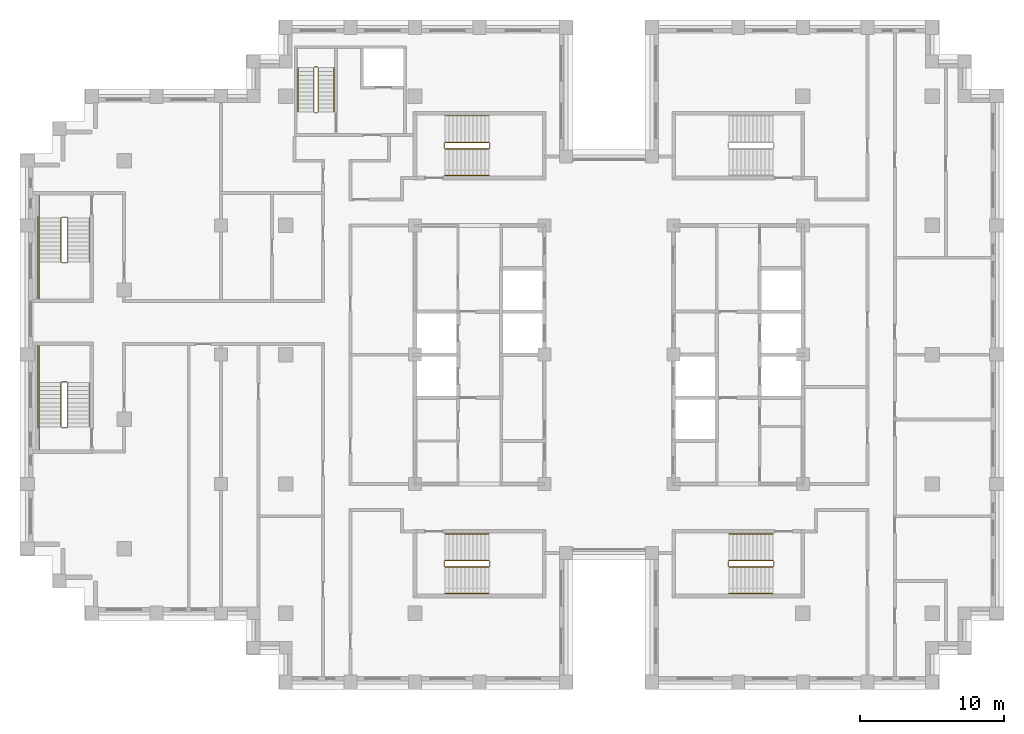
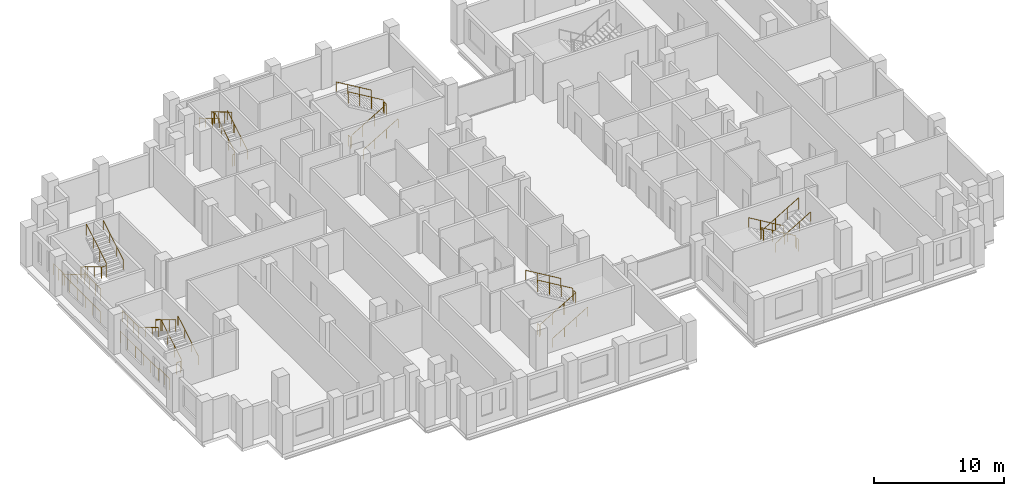
# One storey, part 14 of 15: 6 railings.
"""IFC4 building model written with IfcOpenShell, lengths in metres."""

from ifc_helpers import new_model, si_unit, direction, frame, origin, origin_2d, place, context, subcontext, project, spatial, circle, extrude, material, type_object, element, save


model = new_model("IFC4")

# Units and contexts
model_context = context("Model", 3, precision=1e-05, world=origin(), true_north=direction((0.0, 1.0)))
body_context = subcontext(model_context, "Body", "Model", "MODEL_VIEW")
ifc_project = project(units=[si_unit("LENGTHUNIT", "METRE"), si_unit("AREAUNIT", "SQUARE_METRE"), si_unit("VOLUMEUNIT", "CUBIC_METRE"), si_unit("PLANEANGLEUNIT", "RADIAN"), si_unit("MASSUNIT", "GRAM", prefix="KILO")], contexts=[model_context])

# Site, building, storey
site_placement = place(None, origin())
site = spatial("IfcSite", under=ifc_project, at=site_placement, CompositionType="ELEMENT")
building_placement = place(site_placement, origin())
building = spatial("IfcBuilding", under=site, at=building_placement, Name="Corbelhall Arena Tower", CompositionType="ELEMENT")
storey_placement = place(building_placement, frame((0.0, 0.0, 196.0)))
storey = spatial("IfcBuildingStorey", under=building, at=storey_placement, Name="L40", CompositionType="ELEMENT", Elevation=196.0)

# Railings
ifc_material = material(Name="Steel ASTM A500 Gr C", Category="steel")
railing_type = type_object("IfcRailingType", Name="IN-GD-1100", PredefinedType="GUARDRAIL", material=ifc_material)
railing_1_placement = place(storey_placement, frame((-11.425048828125, 14.324951171875, 0.166748046875)))
element("IfcRailing", 1, at=railing_1_placement, inside=storey, type_object=railing_type, Name="L40 ST1 stair guards and handrails", PredefinedType="GUARDRAIL", context=body_context, shape_type="SweptSolid", body=[
    extrude(circle(Radius=0.02392578125, at=origin_2d()), frame((0.0, 0.0, 1.076171875), z_axis=(0.859308565015, 0.0, 0.511457515432), x_axis=(0.0, 1.0, 0.0)), (0.0, 0.0, 1.0), 3.58447265625),
    extrude(circle(Radius=0.02392578125, at=origin_2d()), frame((3.130126953125, 0.050048828125, 2.9091796875), z_axis=(0.0, 1.0, 0.0), x_axis=(-1.0, 0.0, 0.0)), (0.0, 0.0, 1.0), 0.35009765625),
    extrude(circle(Radius=0.02392578125, at=origin_2d()), frame((3.080078125, 0.449951171875, 3.076171875), z_axis=(-0.859308565015, 0.0, 0.511457515432), x_axis=(0.0, -1.0, 0.0)), (0.0, 0.0, 1.0), 3.58447265625),
    extrude(circle(Radius=0.02392578125, at=origin_2d()), frame((-0.050048828125, 0.050048828125, 0.9091796875), z_axis=(0.0, 1.0, 0.0), x_axis=(-1.0, 0.0, 0.0)), (0.0, 0.0, 1.0), 0.35009765625),
    extrude(circle(Radius=0.02392578125, at=origin_2d()), frame((0.0, -1.849853515625, 0.8759765625), z_axis=(0.859308565015, 0.0, 0.511457515432), x_axis=(0.0, 1.0, 0.0)), (0.0, 0.0, 1.0), 3.58447265625),
    extrude(circle(Radius=0.02392578125, at=origin_2d()), frame((3.080078125, 2.300048828125, 2.8759765625), z_axis=(-0.859308565015, 0.0, 0.511457515432), x_axis=(0.0, -1.0, 0.0)), (0.0, 0.0, 1.0), 3.58447265625),
    extrude(circle(Radius=0.02099609375, at=origin_2d()), origin(), (0.0, 0.0, 1.0), 1.052001953125),
    extrude(circle(Radius=0.02099609375, at=origin_2d()), frame((1.026611328125, 0.0, 0.611083984375)), (0.0, 0.0, 1.0), 1.052001953125),
    extrude(circle(Radius=0.02099609375, at=origin_2d()), frame((2.053466796875, 0.0, 1.22216796875)), (0.0, 0.0, 1.0), 1.052001953125),
    extrude(circle(Radius=0.02099609375, at=origin_2d()), frame((3.080078125, 0.0, 1.833251953125)), (0.0, 0.0, 1.0), 1.052001953125),
    extrude(circle(Radius=0.02099609375, at=origin_2d()), frame((3.130126953125, 0.050048828125, 1.833251953125)), (0.0, 0.0, 1.0), 1.052001953125),
    extrude(circle(Radius=0.02099609375, at=origin_2d()), frame((3.130126953125, 0.400146484375, 1.833251953125)), (0.0, 0.0, 1.0), 1.052001953125),
    extrude(circle(Radius=0.02099609375, at=origin_2d()), frame((3.080078125, 0.449951171875, 2.0)), (0.0, 0.0, 1.0), 1.052001953125),
    extrude(circle(Radius=0.02099609375, at=origin_2d()), frame((2.053466796875, 0.449951171875, 2.611083984375)), (0.0, 0.0, 1.0), 1.052001953125),
    extrude(circle(Radius=0.02099609375, at=origin_2d()), frame((1.026611328125, 0.449951171875, 3.22216796875)), (0.0, 0.0, 1.0), 1.052001953125),
    extrude(circle(Radius=0.02099609375, at=origin_2d()), frame((0.0, 0.449951171875, 3.833251953125)), (0.0, 0.0, 1.0), 1.052001953125),
    extrude(circle(Radius=0.02099609375, at=origin_2d()), frame((-0.050048828125, 0.050048828125, -0.166748046875)), (0.0, 0.0, 1.0), 1.052001953125),
    extrude(circle(Radius=0.02099609375, at=origin_2d()), frame((-0.050048828125, 0.400146484375, -0.166748046875)), (0.0, 0.0, 1.0), 1.052001953125),
    extrude(circle(Radius=0.02099609375, at=origin_2d()), frame((0.0, -1.849853515625, 0.0)), (0.0, 0.0, 1.0), 0.851806640625),
    extrude(circle(Radius=0.02099609375, at=origin_2d()), frame((1.026611328125, -1.849853515625, 0.611083984375)), (0.0, 0.0, 1.0), 0.851806640625),
    extrude(circle(Radius=0.02099609375, at=origin_2d()), frame((2.053466796875, -1.849853515625, 1.22216796875)), (0.0, 0.0, 1.0), 0.851806640625),
    extrude(circle(Radius=0.02099609375, at=origin_2d()), frame((3.080078125, -1.849853515625, 1.833251953125)), (0.0, 0.0, 1.0), 0.851806640625),
    extrude(circle(Radius=0.02099609375, at=origin_2d()), frame((3.080078125, 2.300048828125, 2.0)), (0.0, 0.0, 1.0), 0.851806640625),
    extrude(circle(Radius=0.02099609375, at=origin_2d()), frame((2.053466796875, 2.300048828125, 2.611083984375)), (0.0, 0.0, 1.0), 0.851806640625),
    extrude(circle(Radius=0.02099609375, at=origin_2d()), frame((1.026611328125, 2.300048828125, 3.22216796875)), (0.0, 0.0, 1.0), 0.851806640625),
    extrude(circle(Radius=0.02099609375, at=origin_2d()), frame((0.0, 2.300048828125, 3.833251953125)), (0.0, 0.0, 1.0), 0.851806640625),
])
railing_2_placement = place(storey_placement, frame((-11.425048828125, -14.77490234375, 0.166748046875)))
element("IfcRailing", 2, at=railing_2_placement, inside=storey, type_object=railing_type, Name="L40 ST2 stair guards and handrails", PredefinedType="GUARDRAIL", context=body_context, shape_type="SweptSolid", body=[
    extrude(circle(Radius=0.02392578125, at=origin_2d()), frame((0.0, 0.0, 1.076171875), z_axis=(0.859308565015, 0.0, 0.511457515432), x_axis=(0.0, 1.0, 0.0)), (0.0, 0.0, 1.0), 3.58447265625),
    extrude(circle(Radius=0.02392578125, at=origin_2d()), frame((3.130126953125, 0.0498046875, 2.9091796875), z_axis=(0.0, 1.0, 0.0), x_axis=(-1.0, 0.0, 0.0)), (0.0, 0.0, 1.0), 0.35009765625),
    extrude(circle(Radius=0.02392578125, at=origin_2d()), frame((3.080078125, 0.449951171875, 3.076171875), z_axis=(-0.859308565015, 0.0, 0.511457515432), x_axis=(0.0, -1.0, 0.0)), (0.0, 0.0, 1.0), 3.58447265625),
    extrude(circle(Radius=0.02392578125, at=origin_2d()), frame((-0.050048828125, 0.0498046875, 0.9091796875), z_axis=(0.0, 1.0, 0.0), x_axis=(-1.0, 0.0, 0.0)), (0.0, 0.0, 1.0), 0.35009765625),
    extrude(circle(Radius=0.02392578125, at=origin_2d()), frame((0.0, -1.85009765625, 0.8759765625), z_axis=(0.859308565015, 0.0, 0.511457515432), x_axis=(0.0, 1.0, 0.0)), (0.0, 0.0, 1.0), 3.58447265625),
    extrude(circle(Radius=0.02392578125, at=origin_2d()), frame((3.080078125, 2.2998046875, 2.8759765625), z_axis=(-0.859308565015, 0.0, 0.511457515432), x_axis=(0.0, -1.0, 0.0)), (0.0, 0.0, 1.0), 3.58447265625),
    extrude(circle(Radius=0.02099609375, at=origin_2d()), origin(), (0.0, 0.0, 1.0), 1.052001953125),
    extrude(circle(Radius=0.02099609375, at=origin_2d()), frame((1.026611328125, 0.0, 0.611083984375)), (0.0, 0.0, 1.0), 1.052001953125),
    extrude(circle(Radius=0.02099609375, at=origin_2d()), frame((2.053466796875, 0.0, 1.22216796875)), (0.0, 0.0, 1.0), 1.052001953125),
    extrude(circle(Radius=0.02099609375, at=origin_2d()), frame((3.080078125, 0.0, 1.833251953125)), (0.0, 0.0, 1.0), 1.052001953125),
    extrude(circle(Radius=0.02099609375, at=origin_2d()), frame((3.130126953125, 0.0498046875, 1.833251953125)), (0.0, 0.0, 1.0), 1.052001953125),
    extrude(circle(Radius=0.02099609375, at=origin_2d()), frame((3.130126953125, 0.39990234375, 1.833251953125)), (0.0, 0.0, 1.0), 1.052001953125),
    extrude(circle(Radius=0.02099609375, at=origin_2d()), frame((3.080078125, 0.449951171875, 2.0)), (0.0, 0.0, 1.0), 1.052001953125),
    extrude(circle(Radius=0.02099609375, at=origin_2d()), frame((2.053466796875, 0.449951171875, 2.611083984375)), (0.0, 0.0, 1.0), 1.052001953125),
    extrude(circle(Radius=0.02099609375, at=origin_2d()), frame((1.026611328125, 0.449951171875, 3.22216796875)), (0.0, 0.0, 1.0), 1.052001953125),
    extrude(circle(Radius=0.02099609375, at=origin_2d()), frame((0.0, 0.449951171875, 3.833251953125)), (0.0, 0.0, 1.0), 1.052001953125),
    extrude(circle(Radius=0.02099609375, at=origin_2d()), frame((-0.050048828125, 0.0498046875, -0.166748046875)), (0.0, 0.0, 1.0), 1.052001953125),
    extrude(circle(Radius=0.02099609375, at=origin_2d()), frame((-0.050048828125, 0.39990234375, -0.166748046875)), (0.0, 0.0, 1.0), 1.052001953125),
    extrude(circle(Radius=0.02099609375, at=origin_2d()), frame((0.0, -1.85009765625, 0.0)), (0.0, 0.0, 1.0), 0.851806640625),
    extrude(circle(Radius=0.02099609375, at=origin_2d()), frame((1.026611328125, -1.85009765625, 0.611083984375)), (0.0, 0.0, 1.0), 0.851806640625),
    extrude(circle(Radius=0.02099609375, at=origin_2d()), frame((2.053466796875, -1.85009765625, 1.22216796875)), (0.0, 0.0, 1.0), 0.851806640625),
    extrude(circle(Radius=0.02099609375, at=origin_2d()), frame((3.080078125, -1.85009765625, 1.833251953125)), (0.0, 0.0, 1.0), 0.851806640625),
    extrude(circle(Radius=0.02099609375, at=origin_2d()), frame((3.080078125, 2.2998046875, 2.0)), (0.0, 0.0, 1.0), 0.851806640625),
    extrude(circle(Radius=0.02099609375, at=origin_2d()), frame((2.053466796875, 2.2998046875, 2.611083984375)), (0.0, 0.0, 1.0), 0.851806640625),
    extrude(circle(Radius=0.02099609375, at=origin_2d()), frame((1.026611328125, 2.2998046875, 3.22216796875)), (0.0, 0.0, 1.0), 0.851806640625),
    extrude(circle(Radius=0.02099609375, at=origin_2d()), frame((0.0, 2.2998046875, 3.833251953125)), (0.0, 0.0, 1.0), 0.851806640625),
])
railing_3_placement = place(storey_placement, frame((11.425048828125, -14.324951171875, 0.166748046875)))
element("IfcRailing", 3, at=railing_3_placement, inside=storey, type_object=railing_type, Name="L40 ST4 stair guards and handrails", PredefinedType="GUARDRAIL", context=body_context, shape_type="SweptSolid", body=[
    extrude(circle(Radius=0.02392578125, at=origin_2d()), frame((0.0, 0.0, 1.076171875), z_axis=(-0.859308565015, 0.0, 0.511457515432), x_axis=(0.0, -1.0, 0.0)), (0.0, 0.0, 1.0), 3.58447265625),
    extrude(circle(Radius=0.02392578125, at=origin_2d()), frame((-3.130126953125, -0.050048828125, 2.9091796875), z_axis=(0.0, -1.0, 0.0), x_axis=(1.0, 0.0, 0.0)), (0.0, 0.0, 1.0), 0.35009765625),
    extrude(circle(Radius=0.02392578125, at=origin_2d()), frame((-3.080078125, -0.449951171875, 3.076171875), z_axis=(0.859308565015, 0.0, 0.511457515432), x_axis=(0.0, 1.0, 0.0)), (0.0, 0.0, 1.0), 3.58447265625),
    extrude(circle(Radius=0.02392578125, at=origin_2d()), frame((0.050048828125, -0.050048828125, 0.9091796875), z_axis=(0.0, -1.0, 0.0), x_axis=(1.0, 0.0, 0.0)), (0.0, 0.0, 1.0), 0.35009765625),
    extrude(circle(Radius=0.02392578125, at=origin_2d()), frame((0.0, 1.849853515625, 0.8759765625), z_axis=(-0.859308565015, 0.0, 0.511457515432), x_axis=(0.0, -1.0, 0.0)), (0.0, 0.0, 1.0), 3.58447265625),
    extrude(circle(Radius=0.02392578125, at=origin_2d()), frame((-3.080078125, -2.300048828125, 2.8759765625), z_axis=(0.859308565015, 0.0, 0.511457515432), x_axis=(0.0, 1.0, 0.0)), (0.0, 0.0, 1.0), 3.58447265625),
    extrude(circle(Radius=0.02099609375, at=origin_2d()), origin(), (0.0, 0.0, 1.0), 1.052001953125),
    extrude(circle(Radius=0.02099609375, at=origin_2d()), frame((-1.026611328125, 0.0, 0.611083984375)), (0.0, 0.0, 1.0), 1.052001953125),
    extrude(circle(Radius=0.02099609375, at=origin_2d()), frame((-2.053466796875, 0.0, 1.22216796875)), (0.0, 0.0, 1.0), 1.052001953125),
    extrude(circle(Radius=0.02099609375, at=origin_2d()), frame((-3.080078125, 0.0, 1.833251953125)), (0.0, 0.0, 1.0), 1.052001953125),
    extrude(circle(Radius=0.02099609375, at=origin_2d()), frame((-3.130126953125, -0.050048828125, 1.833251953125)), (0.0, 0.0, 1.0), 1.052001953125),
    extrude(circle(Radius=0.02099609375, at=origin_2d()), frame((-3.130126953125, -0.400146484375, 1.833251953125)), (0.0, 0.0, 1.0), 1.052001953125),
    extrude(circle(Radius=0.02099609375, at=origin_2d()), frame((-3.080078125, -0.449951171875, 2.0)), (0.0, 0.0, 1.0), 1.052001953125),
    extrude(circle(Radius=0.02099609375, at=origin_2d()), frame((-2.053466796875, -0.449951171875, 2.611083984375)), (0.0, 0.0, 1.0), 1.052001953125),
    extrude(circle(Radius=0.02099609375, at=origin_2d()), frame((-1.026611328125, -0.449951171875, 3.22216796875)), (0.0, 0.0, 1.0), 1.052001953125),
    extrude(circle(Radius=0.02099609375, at=origin_2d()), frame((0.0, -0.449951171875, 3.833251953125)), (0.0, 0.0, 1.0), 1.052001953125),
    extrude(circle(Radius=0.02099609375, at=origin_2d()), frame((0.050048828125, -0.050048828125, -0.166748046875)), (0.0, 0.0, 1.0), 1.052001953125),
    extrude(circle(Radius=0.02099609375, at=origin_2d()), frame((0.050048828125, -0.400146484375, -0.166748046875)), (0.0, 0.0, 1.0), 1.052001953125),
    extrude(circle(Radius=0.02099609375, at=origin_2d()), frame((0.0, 1.849853515625, 0.0)), (0.0, 0.0, 1.0), 0.851806640625),
    extrude(circle(Radius=0.02099609375, at=origin_2d()), frame((-1.026611328125, 1.849853515625, 0.611083984375)), (0.0, 0.0, 1.0), 0.851806640625),
    extrude(circle(Radius=0.02099609375, at=origin_2d()), frame((-2.053466796875, 1.849853515625, 1.22216796875)), (0.0, 0.0, 1.0), 0.851806640625),
    extrude(circle(Radius=0.02099609375, at=origin_2d()), frame((-3.080078125, 1.849853515625, 1.833251953125)), (0.0, 0.0, 1.0), 0.851806640625),
    extrude(circle(Radius=0.02099609375, at=origin_2d()), frame((-3.080078125, -2.300048828125, 2.0)), (0.0, 0.0, 1.0), 0.851806640625),
    extrude(circle(Radius=0.02099609375, at=origin_2d()), frame((-2.053466796875, -2.300048828125, 2.611083984375)), (0.0, 0.0, 1.0), 0.851806640625),
    extrude(circle(Radius=0.02099609375, at=origin_2d()), frame((-1.026611328125, -2.300048828125, 3.22216796875)), (0.0, 0.0, 1.0), 0.851806640625),
    extrude(circle(Radius=0.02099609375, at=origin_2d()), frame((0.0, -2.300048828125, 3.833251953125)), (0.0, 0.0, 1.0), 0.851806640625),
])
railing_4_placement = place(storey_placement, frame((-38.14990234375, 9.52490234375, 0.166748046875)))
element("IfcRailing", 4, at=railing_4_placement, inside=storey, type_object=railing_type, Name="L40 SC1 stair guards and handrails", PredefinedType="GUARDRAIL", context=body_context, shape_type="SweptSolid", body=[
    extrude(circle(Radius=0.02392578125, at=origin_2d()), frame((0.0, 0.0, 1.076171875), z_axis=(0.0, -0.859290745958, 0.51148745235), x_axis=(1.0, 0.0, 0.0)), (0.0, 0.0, 1.0), 3.584228515625),
    extrude(circle(Radius=0.02392578125, at=origin_2d()), frame((0.0498046875, -3.1298828125, 2.9091796875), z_axis=(1.0, 0.0, 0.0), x_axis=(0.0, 1.0, 0.0)), (0.0, 0.0, 1.0), 0.375),
    extrude(circle(Radius=0.02392578125, at=origin_2d()), frame((-1.5, -3.079833984375, 2.9091796875), z_axis=(0.0, -1.0, 0.0), x_axis=(1.0, 0.0, 0.0)), (0.0, 0.0, 1.0), 2.570068359375),
    extrude(circle(Radius=0.02392578125, at=origin_2d()), frame((0.474853515625, -3.079833984375, 3.076171875), z_axis=(0.0, 0.859290745958, 0.51148745235), x_axis=(-1.0, 0.0, 0.0)), (0.0, 0.0, 1.0), 3.584228515625),
    extrude(circle(Radius=0.02392578125, at=origin_2d()), frame((0.0498046875, 0.050048828125, 0.9091796875), z_axis=(1.0, 0.0, 0.0), x_axis=(0.0, 1.0, 0.0)), (0.0, 0.0, 1.0), 0.375),
    extrude(circle(Radius=0.02392578125, at=origin_2d()), frame((-1.5, 1.60009765625, 0.9091796875), z_axis=(0.0, -1.0, 0.0), x_axis=(1.0, 0.0, 0.0)), (0.0, 0.0, 1.0), 1.60009765625),
    extrude(circle(Radius=0.02392578125, at=origin_2d()), frame((-1.60009765625, 0.10009765625, 0.9091796875), z_axis=(0.0, -1.0, 0.0), x_axis=(1.0, 0.0, 0.0)), (0.0, 0.0, 1.0), 5.85009765625),
    extrude(circle(Radius=0.02392578125, at=origin_2d()), frame((-1.5, 0.0, 0.8759765625), z_axis=(0.0, -0.859290745958, 0.51148745235), x_axis=(1.0, 0.0, 0.0)), (0.0, 0.0, 1.0), 3.584228515625),
    extrude(circle(Radius=0.02392578125, at=origin_2d()), frame((1.974853515625, -3.079833984375, 2.8759765625), z_axis=(0.0, 0.859290745958, 0.51148745235), x_axis=(-1.0, 0.0, 0.0)), (0.0, 0.0, 1.0), 3.584228515625),
    extrude(circle(Radius=0.02099609375, at=origin_2d()), origin(), (0.0, 0.0, 1.0), 1.052001953125),
    extrude(circle(Radius=0.02099609375, at=origin_2d()), frame((0.0, -1.026611328125, 0.611083984375)), (0.0, 0.0, 1.0), 1.052001953125),
    extrude(circle(Radius=0.02099609375, at=origin_2d()), frame((0.0, -2.05322265625, 1.22216796875)), (0.0, 0.0, 1.0), 1.052001953125),
    extrude(circle(Radius=0.02099609375, at=origin_2d()), frame((0.0, -3.079833984375, 1.833251953125)), (0.0, 0.0, 1.0), 1.052001953125),
    extrude(circle(Radius=0.02099609375, at=origin_2d()), frame((0.0498046875, -3.1298828125, 1.833251953125)), (0.0, 0.0, 1.0), 1.052001953125),
    extrude(circle(Radius=0.02099609375, at=origin_2d()), frame((0.4248046875, -3.1298828125, 1.833251953125)), (0.0, 0.0, 1.0), 1.052001953125),
    extrude(circle(Radius=0.02099609375, at=origin_2d()), frame((-1.5, -3.079833984375, 1.833251953125)), (0.0, 0.0, 1.0), 1.052001953125),
    extrude(circle(Radius=0.02099609375, at=origin_2d()), frame((-1.5, -3.9365234375, 1.833251953125)), (0.0, 0.0, 1.0), 1.052001953125),
    extrude(circle(Radius=0.02099609375, at=origin_2d()), frame((-1.5, -4.793212890625, 1.833251953125)), (0.0, 0.0, 1.0), 1.052001953125),
    extrude(circle(Radius=0.02099609375, at=origin_2d()), frame((-1.5, -5.64990234375, 1.833251953125)), (0.0, 0.0, 1.0), 1.052001953125),
    extrude(circle(Radius=0.02099609375, at=origin_2d()), frame((0.474853515625, -3.079833984375, 2.0)), (0.0, 0.0, 1.0), 1.052001953125),
    extrude(circle(Radius=0.02099609375, at=origin_2d()), frame((0.474853515625, -2.05322265625, 2.611083984375)), (0.0, 0.0, 1.0), 1.052001953125),
    extrude(circle(Radius=0.02099609375, at=origin_2d()), frame((0.474853515625, -1.026611328125, 3.22216796875)), (0.0, 0.0, 1.0), 1.052001953125),
    extrude(circle(Radius=0.02099609375, at=origin_2d()), frame((0.474853515625, 0.0, 3.833251953125)), (0.0, 0.0, 1.0), 1.052001953125),
    extrude(circle(Radius=0.02099609375, at=origin_2d()), frame((0.0498046875, 0.050048828125, -0.166748046875)), (0.0, 0.0, 1.0), 1.052001953125),
    extrude(circle(Radius=0.02099609375, at=origin_2d()), frame((0.4248046875, 0.050048828125, -0.166748046875)), (0.0, 0.0, 1.0), 1.052001953125),
    extrude(circle(Radius=0.02099609375, at=origin_2d()), frame((-1.5, 1.60009765625, -0.166748046875)), (0.0, 0.0, 1.0), 1.052001953125),
    extrude(circle(Radius=0.02099609375, at=origin_2d()), frame((-1.5, 0.800048828125, -0.166748046875)), (0.0, 0.0, 1.0), 1.052001953125),
    extrude(circle(Radius=0.02099609375, at=origin_2d()), frame((-1.5, 0.0, -0.166748046875)), (0.0, 0.0, 1.0), 1.052001953125),
    extrude(circle(Radius=0.02099609375, at=origin_2d()), frame((-1.60009765625, 0.10009765625, -0.166748046875)), (0.0, 0.0, 1.0), 1.052001953125),
    extrude(circle(Radius=0.02099609375, at=origin_2d()), frame((-1.60009765625, -1.06982421875, -0.166748046875)), (0.0, 0.0, 1.0), 1.052001953125),
    extrude(circle(Radius=0.02099609375, at=origin_2d()), frame((-1.60009765625, -2.239990234375, -0.166748046875)), (0.0, 0.0, 1.0), 1.052001953125),
    extrude(circle(Radius=0.02099609375, at=origin_2d()), frame((-1.60009765625, -3.409912109375, -0.166748046875)), (0.0, 0.0, 1.0), 1.052001953125),
    extrude(circle(Radius=0.02099609375, at=origin_2d()), frame((-1.60009765625, -4.580078125, -0.166748046875)), (0.0, 0.0, 1.0), 1.052001953125),
    extrude(circle(Radius=0.02099609375, at=origin_2d()), frame((-1.60009765625, -5.75, -0.166748046875)), (0.0, 0.0, 1.0), 1.052001953125),
    extrude(circle(Radius=0.02099609375, at=origin_2d()), frame((-1.5, 0.0, 0.0)), (0.0, 0.0, 1.0), 0.851806640625),
    extrude(circle(Radius=0.02099609375, at=origin_2d()), frame((-1.5, -1.026611328125, 0.611083984375)), (0.0, 0.0, 1.0), 0.851806640625),
    extrude(circle(Radius=0.02099609375, at=origin_2d()), frame((-1.5, -2.05322265625, 1.22216796875)), (0.0, 0.0, 1.0), 0.851806640625),
    extrude(circle(Radius=0.02099609375, at=origin_2d()), frame((1.974853515625, -3.079833984375, 2.0)), (0.0, 0.0, 1.0), 0.851806640625),
    extrude(circle(Radius=0.02099609375, at=origin_2d()), frame((1.974853515625, -2.05322265625, 2.611083984375)), (0.0, 0.0, 1.0), 0.851806640625),
    extrude(circle(Radius=0.02099609375, at=origin_2d()), frame((1.974853515625, -1.026611328125, 3.22216796875)), (0.0, 0.0, 1.0), 0.851806640625),
    extrude(circle(Radius=0.02099609375, at=origin_2d()), frame((1.974853515625, 0.0, 3.833251953125)), (0.0, 0.0, 1.0), 0.851806640625),
])
railing_5_placement = place(storey_placement, frame((-37.675048828125, -5.02490234375, 0.166748046875)))
element("IfcRailing", 5, at=railing_5_placement, inside=storey, type_object=railing_type, Name="L40 SC2 stair guards and handrails", PredefinedType="GUARDRAIL", context=body_context, shape_type="SweptSolid", body=[
    extrude(circle(Radius=0.02392578125, at=origin_2d()), frame((0.0, 0.0, 1.076171875), z_axis=(0.0, 0.859290745958, 0.51148745235), x_axis=(-1.0, 0.0, 0.0)), (0.0, 0.0, 1.0), 3.584228515625),
    extrude(circle(Radius=0.02392578125, at=origin_2d()), frame((-0.050048828125, 3.1298828125, 2.9091796875), z_axis=(-1.0, 0.0, 0.0), x_axis=(0.0, -1.0, 0.0)), (0.0, 0.0, 1.0), 0.375),
    extrude(circle(Radius=0.02392578125, at=origin_2d()), frame((-1.974853515625, 3.079833984375, 2.9091796875), z_axis=(0.0, 1.0, 0.0), x_axis=(-1.0, 0.0, 0.0)), (0.0, 0.0, 1.0), 2.570068359375),
    extrude(circle(Radius=0.02392578125, at=origin_2d()), frame((-0.474853515625, 3.079833984375, 3.076171875), z_axis=(0.0, -0.859290745958, 0.51148745235), x_axis=(1.0, 0.0, 0.0)), (0.0, 0.0, 1.0), 3.584228515625),
    extrude(circle(Radius=0.02392578125, at=origin_2d()), frame((-0.050048828125, -0.050048828125, 0.9091796875), z_axis=(-1.0, 0.0, 0.0), x_axis=(0.0, -1.0, 0.0)), (0.0, 0.0, 1.0), 0.375),
    extrude(circle(Radius=0.02392578125, at=origin_2d()), frame((-1.974853515625, -1.60009765625, 0.9091796875), z_axis=(0.0, 1.0, 0.0), x_axis=(-1.0, 0.0, 0.0)), (0.0, 0.0, 1.0), 1.60009765625),
    extrude(circle(Radius=0.02392578125, at=origin_2d()), frame((-2.074951171875, -0.10009765625, 0.9091796875), z_axis=(0.0, 1.0, 0.0), x_axis=(-1.0, 0.0, 0.0)), (0.0, 0.0, 1.0), 5.85009765625),
    extrude(circle(Radius=0.02392578125, at=origin_2d()), frame((1.5, 0.0, 0.8759765625), z_axis=(0.0, 0.859290745958, 0.51148745235), x_axis=(-1.0, 0.0, 0.0)), (0.0, 0.0, 1.0), 3.584228515625),
    extrude(circle(Radius=0.02392578125, at=origin_2d()), frame((-1.974853515625, 3.079833984375, 2.8759765625), z_axis=(0.0, -0.859290745958, 0.51148745235), x_axis=(1.0, 0.0, 0.0)), (0.0, 0.0, 1.0), 3.584228515625),
    extrude(circle(Radius=0.02099609375, at=origin_2d()), origin(), (0.0, 0.0, 1.0), 1.052001953125),
    extrude(circle(Radius=0.02099609375, at=origin_2d()), frame((0.0, 1.026611328125, 0.611083984375)), (0.0, 0.0, 1.0), 1.052001953125),
    extrude(circle(Radius=0.02099609375, at=origin_2d()), frame((0.0, 2.05322265625, 1.22216796875)), (0.0, 0.0, 1.0), 1.052001953125),
    extrude(circle(Radius=0.02099609375, at=origin_2d()), frame((0.0, 3.079833984375, 1.833251953125)), (0.0, 0.0, 1.0), 1.052001953125),
    extrude(circle(Radius=0.02099609375, at=origin_2d()), frame((-0.050048828125, 3.1298828125, 1.833251953125)), (0.0, 0.0, 1.0), 1.052001953125),
    extrude(circle(Radius=0.02099609375, at=origin_2d()), frame((-0.425048828125, 3.1298828125, 1.833251953125)), (0.0, 0.0, 1.0), 1.052001953125),
    extrude(circle(Radius=0.02099609375, at=origin_2d()), frame((-1.974853515625, 3.079833984375, 1.833251953125)), (0.0, 0.0, 1.0), 1.052001953125),
    extrude(circle(Radius=0.02099609375, at=origin_2d()), frame((-1.974853515625, 3.9365234375, 1.833251953125)), (0.0, 0.0, 1.0), 1.052001953125),
    extrude(circle(Radius=0.02099609375, at=origin_2d()), frame((-1.974853515625, 4.793212890625, 1.833251953125)), (0.0, 0.0, 1.0), 1.052001953125),
    extrude(circle(Radius=0.02099609375, at=origin_2d()), frame((-1.974853515625, 5.64990234375, 1.833251953125)), (0.0, 0.0, 1.0), 1.052001953125),
    extrude(circle(Radius=0.02099609375, at=origin_2d()), frame((-0.474853515625, 3.079833984375, 2.0)), (0.0, 0.0, 1.0), 1.052001953125),
    extrude(circle(Radius=0.02099609375, at=origin_2d()), frame((-0.474853515625, 2.05322265625, 2.611083984375)), (0.0, 0.0, 1.0), 1.052001953125),
    extrude(circle(Radius=0.02099609375, at=origin_2d()), frame((-0.474853515625, 1.026611328125, 3.22216796875)), (0.0, 0.0, 1.0), 1.052001953125),
    extrude(circle(Radius=0.02099609375, at=origin_2d()), frame((-0.474853515625, 0.0, 3.833251953125)), (0.0, 0.0, 1.0), 1.052001953125),
    extrude(circle(Radius=0.02099609375, at=origin_2d()), frame((-0.050048828125, -0.050048828125, -0.166748046875)), (0.0, 0.0, 1.0), 1.052001953125),
    extrude(circle(Radius=0.02099609375, at=origin_2d()), frame((-0.425048828125, -0.050048828125, -0.166748046875)), (0.0, 0.0, 1.0), 1.052001953125),
    extrude(circle(Radius=0.02099609375, at=origin_2d()), frame((-1.974853515625, -1.60009765625, -0.166748046875)), (0.0, 0.0, 1.0), 1.052001953125),
    extrude(circle(Radius=0.02099609375, at=origin_2d()), frame((-1.974853515625, -0.800048828125, -0.166748046875)), (0.0, 0.0, 1.0), 1.052001953125),
    extrude(circle(Radius=0.02099609375, at=origin_2d()), frame((-1.974853515625, 0.0, -0.166748046875)), (0.0, 0.0, 1.0), 1.052001953125),
    extrude(circle(Radius=0.02099609375, at=origin_2d()), frame((-2.074951171875, -0.10009765625, -0.166748046875)), (0.0, 0.0, 1.0), 1.052001953125),
    extrude(circle(Radius=0.02099609375, at=origin_2d()), frame((-2.074951171875, 1.06982421875, -0.166748046875)), (0.0, 0.0, 1.0), 1.052001953125),
    extrude(circle(Radius=0.02099609375, at=origin_2d()), frame((-2.074951171875, 2.239990234375, -0.166748046875)), (0.0, 0.0, 1.0), 1.052001953125),
    extrude(circle(Radius=0.02099609375, at=origin_2d()), frame((-2.074951171875, 3.409912109375, -0.166748046875)), (0.0, 0.0, 1.0), 1.052001953125),
    extrude(circle(Radius=0.02099609375, at=origin_2d()), frame((-2.074951171875, 4.580078125, -0.166748046875)), (0.0, 0.0, 1.0), 1.052001953125),
    extrude(circle(Radius=0.02099609375, at=origin_2d()), frame((-2.074951171875, 5.75, -0.166748046875)), (0.0, 0.0, 1.0), 1.052001953125),
    extrude(circle(Radius=0.02099609375, at=origin_2d()), frame((1.5, 0.0, 0.0)), (0.0, 0.0, 1.0), 0.851806640625),
    extrude(circle(Radius=0.02099609375, at=origin_2d()), frame((1.5, 1.026611328125, 0.611083984375)), (0.0, 0.0, 1.0), 0.851806640625),
    extrude(circle(Radius=0.02099609375, at=origin_2d()), frame((1.5, 2.05322265625, 1.22216796875)), (0.0, 0.0, 1.0), 0.851806640625),
    extrude(circle(Radius=0.02099609375, at=origin_2d()), frame((1.5, 3.079833984375, 1.833251953125)), (0.0, 0.0, 1.0), 0.851806640625),
    extrude(circle(Radius=0.02099609375, at=origin_2d()), frame((-1.974853515625, 3.079833984375, 2.0)), (0.0, 0.0, 1.0), 0.851806640625),
    extrude(circle(Radius=0.02099609375, at=origin_2d()), frame((-1.974853515625, 2.05322265625, 2.611083984375)), (0.0, 0.0, 1.0), 0.851806640625),
    extrude(circle(Radius=0.02099609375, at=origin_2d()), frame((-1.974853515625, 1.026611328125, 3.22216796875)), (0.0, 0.0, 1.0), 0.851806640625),
    extrude(circle(Radius=0.02099609375, at=origin_2d()), frame((-1.974853515625, 0.0, 3.833251953125)), (0.0, 0.0, 1.0), 0.851806640625),
])
railing_6_placement = place(storey_placement, frame((-20.2451171875, 16.89990234375, 0.166748046875)))
element("IfcRailing", 6, at=railing_6_placement, inside=storey, type_object=railing_type, Name="L40 ST5 stair guards and handrails", PredefinedType="GUARDRAIL", context=body_context, shape_type="SweptSolid", body=[
    extrude(circle(Radius=0.02392578125, at=origin_2d()), frame((0.0, 0.0, 1.076171875), z_axis=(0.0, 0.859308565015, 0.511457515432), x_axis=(-1.0, 0.0, 0.0)), (0.0, 0.0, 1.0), 3.58447265625),
    extrude(circle(Radius=0.02392578125, at=origin_2d()), frame((-0.0498046875, 3.130126953125, 2.9091796875), z_axis=(-1.0, 0.0, 0.0), x_axis=(0.0, -1.0, 0.0)), (0.0, 0.0, 1.0), 0.2001953125),
    extrude(circle(Radius=0.02392578125, at=origin_2d()), frame((-0.2998046875, 3.080078125, 3.076171875), z_axis=(0.0, -0.859308565015, 0.511457515432), x_axis=(1.0, 0.0, 0.0)), (0.0, 0.0, 1.0), 3.58447265625),
    extrude(circle(Radius=0.02392578125, at=origin_2d()), frame((-0.0498046875, -0.0498046875, 0.9091796875), z_axis=(-1.0, 0.0, 0.0), x_axis=(0.0, -1.0, 0.0)), (0.0, 0.0, 1.0), 0.2001953125),
    extrude(circle(Radius=0.02392578125, at=origin_2d()), frame((1.10009765625, 0.0, 0.8759765625), z_axis=(0.0, 0.859308565015, 0.511457515432), x_axis=(-1.0, 0.0, 0.0)), (0.0, 0.0, 1.0), 3.58447265625),
    extrude(circle(Radius=0.02392578125, at=origin_2d()), frame((-1.39990234375, 3.080078125, 2.8759765625), z_axis=(0.0, -0.859308565015, 0.511457515432), x_axis=(1.0, 0.0, 0.0)), (0.0, 0.0, 1.0), 3.58447265625),
    extrude(circle(Radius=0.02099609375, at=origin_2d()), origin(), (0.0, 0.0, 1.0), 1.052001953125),
    extrude(circle(Radius=0.02099609375, at=origin_2d()), frame((0.0, 1.026611328125, 0.611083984375)), (0.0, 0.0, 1.0), 1.052001953125),
    extrude(circle(Radius=0.02099609375, at=origin_2d()), frame((0.0, 2.053466796875, 1.22216796875)), (0.0, 0.0, 1.0), 1.052001953125),
    extrude(circle(Radius=0.02099609375, at=origin_2d()), frame((0.0, 3.080078125, 1.833251953125)), (0.0, 0.0, 1.0), 1.052001953125),
    extrude(circle(Radius=0.02099609375, at=origin_2d()), frame((-0.0498046875, 3.130126953125, 1.833251953125)), (0.0, 0.0, 1.0), 1.052001953125),
    extrude(circle(Radius=0.02099609375, at=origin_2d()), frame((-0.25, 3.130126953125, 1.833251953125)), (0.0, 0.0, 1.0), 1.052001953125),
    extrude(circle(Radius=0.02099609375, at=origin_2d()), frame((-0.2998046875, 3.080078125, 2.0)), (0.0, 0.0, 1.0), 1.052001953125),
    extrude(circle(Radius=0.02099609375, at=origin_2d()), frame((-0.2998046875, 2.053466796875, 2.611083984375)), (0.0, 0.0, 1.0), 1.052001953125),
    extrude(circle(Radius=0.02099609375, at=origin_2d()), frame((-0.2998046875, 1.026611328125, 3.22216796875)), (0.0, 0.0, 1.0), 1.052001953125),
    extrude(circle(Radius=0.02099609375, at=origin_2d()), frame((-0.2998046875, 0.0, 3.833251953125)), (0.0, 0.0, 1.0), 1.052001953125),
    extrude(circle(Radius=0.02099609375, at=origin_2d()), frame((-0.0498046875, -0.0498046875, -0.166748046875)), (0.0, 0.0, 1.0), 1.052001953125),
    extrude(circle(Radius=0.02099609375, at=origin_2d()), frame((-0.25, -0.0498046875, -0.166748046875)), (0.0, 0.0, 1.0), 1.052001953125),
    extrude(circle(Radius=0.02099609375, at=origin_2d()), frame((1.10009765625, 0.0, 0.0)), (0.0, 0.0, 1.0), 0.851806640625),
    extrude(circle(Radius=0.02099609375, at=origin_2d()), frame((1.10009765625, 1.026611328125, 0.611083984375)), (0.0, 0.0, 1.0), 0.851806640625),
    extrude(circle(Radius=0.02099609375, at=origin_2d()), frame((1.10009765625, 2.053466796875, 1.22216796875)), (0.0, 0.0, 1.0), 0.851806640625),
    extrude(circle(Radius=0.02099609375, at=origin_2d()), frame((1.10009765625, 3.080078125, 1.833251953125)), (0.0, 0.0, 1.0), 0.851806640625),
    extrude(circle(Radius=0.02099609375, at=origin_2d()), frame((-1.39990234375, 3.080078125, 2.0)), (0.0, 0.0, 1.0), 0.851806640625),
    extrude(circle(Radius=0.02099609375, at=origin_2d()), frame((-1.39990234375, 2.053466796875, 2.611083984375)), (0.0, 0.0, 1.0), 0.851806640625),
    extrude(circle(Radius=0.02099609375, at=origin_2d()), frame((-1.39990234375, 1.026611328125, 3.22216796875)), (0.0, 0.0, 1.0), 0.851806640625),
    extrude(circle(Radius=0.02099609375, at=origin_2d()), frame((-1.39990234375, 0.0, 3.833251953125)), (0.0, 0.0, 1.0), 0.851806640625),
])

save(model, "model.ifc")
